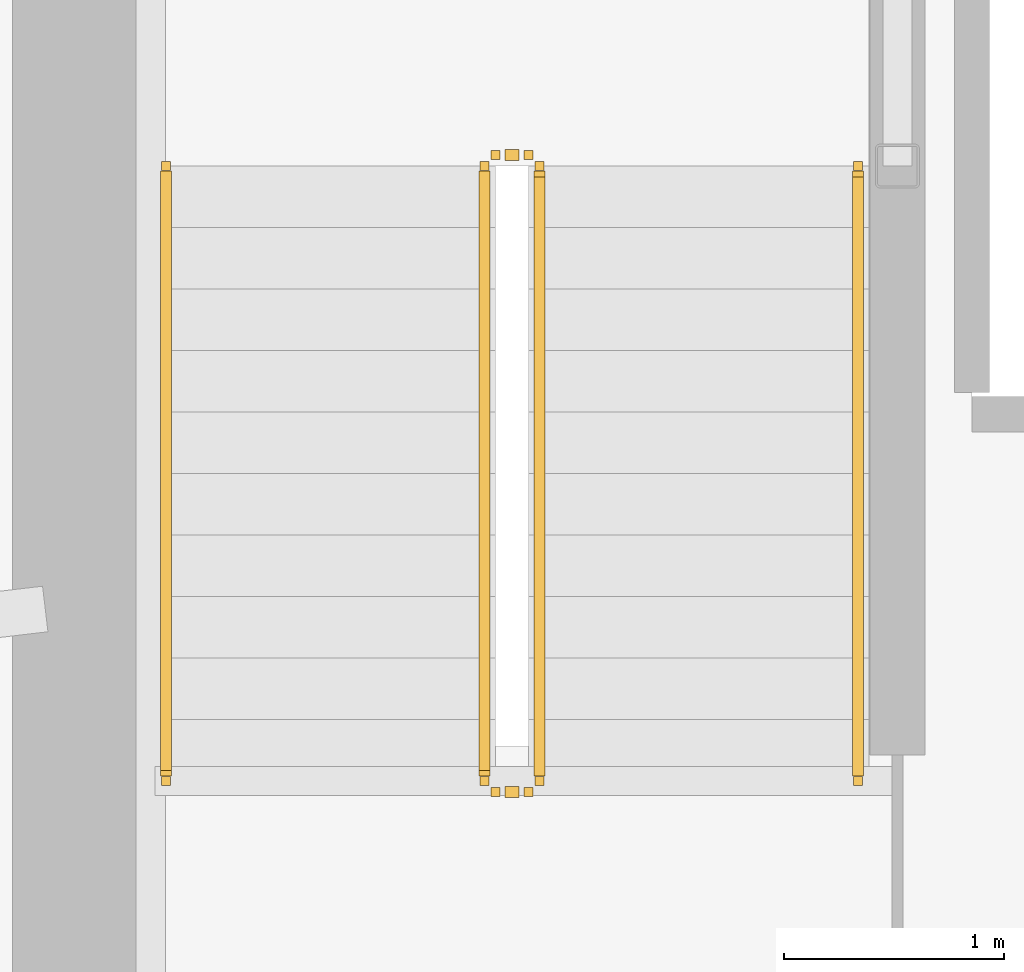
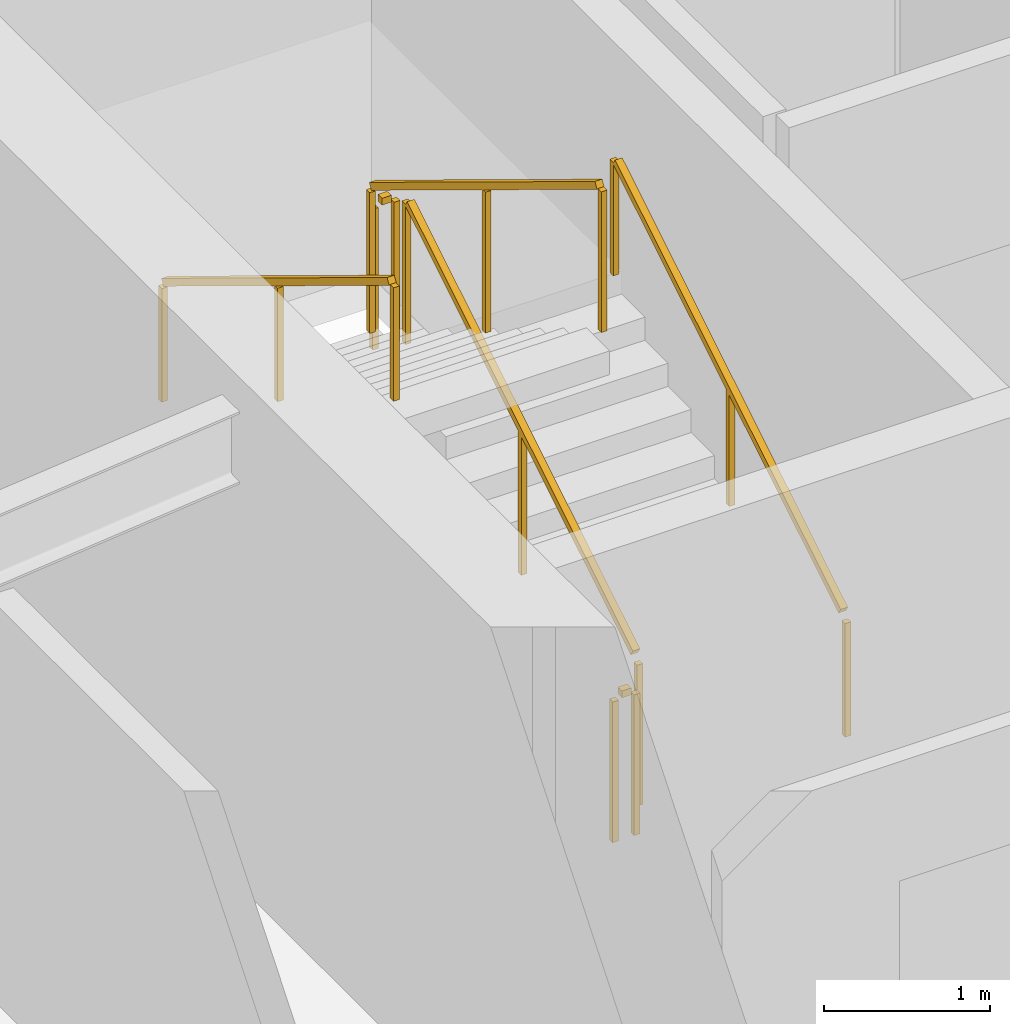
# One storey, part 18 of 21: 6 railings.
"""IFC4 building model written with IfcOpenShell, lengths in metres."""

from ifc_helpers import new_model, si_unit, direction, frame, origin, origin_2d, place, context, subcontext, project, spatial, rectangle, extrude, material, type_object, element, save


model = new_model("IFC4")

# Units and contexts
model_context = context("Model", 3, precision=1e-05, world=origin(), true_north=direction((0.0, 1.0)))
body_context = subcontext(model_context, "Body", "Model", "MODEL_VIEW")
ifc_project = project(units=[si_unit("LENGTHUNIT", "METRE"), si_unit("AREAUNIT", "SQUARE_METRE"), si_unit("VOLUMEUNIT", "CUBIC_METRE"), si_unit("PLANEANGLEUNIT", "RADIAN"), si_unit("MASSUNIT", "GRAM", prefix="KILO")], contexts=[model_context])

# Site, building, storey
site_placement = place(None, origin())
site = spatial("IfcSite", under=ifc_project, at=site_placement, CompositionType="ELEMENT")
building_placement = place(site_placement, origin())
building = spatial("IfcBuilding", under=site, at=building_placement, Name="Kazma Halo Residences", CompositionType="ELEMENT")
storey_placement = place(building_placement, frame((0.0, 0.0, 187.800048828125)))
storey = spatial("IfcBuildingStorey", under=building, at=storey_placement, Name="L47", CompositionType="ELEMENT", Elevation=187.800048828125)

# Railings
ifc_material_1 = material(Name="Painted Steel S355", Category="steel")
railing_type_1 = type_object("IfcRailingType", Name="RLG-STAIR-GRD-1100", PredefinedType="GUARDRAIL", material=ifc_material_1)
railing_1_placement = place(storey_placement, frame((39.550048828125, 39.949951171875, 0.17041015625)))
element("IfcRailing", 1, at=railing_1_placement, inside=storey, type_object=railing_type_1, Name="L47 ST-01 stair guard 1", PredefinedType="GUARDRAIL", context=body_context, shape_type="SweptSolid", body=[
    extrude(rectangle(XDim=0.050048828125, YDim=0.050048828125, at=origin_2d()), frame((0.0, 0.036376953125, 1.09716796875), z_axis=(0.0, 0.854169791009, 0.51999420009), x_axis=(-1.0, 0.0, 0.0)), (0.0, 0.0, 1.0), 3.193115234375),
    extrude(rectangle(XDim=0.0400390625, YDim=0.0400390625, at=origin_2d()), origin(), (0.0, 0.0, 1.0), 1.0380859375),
    extrude(rectangle(XDim=0.0400390625, YDim=0.0400390625, at=origin_2d()), frame((0.0, 1.39990234375, 0.852294921875)), (0.0, 0.0, 1.0), 1.0380859375),
    extrude(rectangle(XDim=0.0400390625, YDim=0.0400390625, at=origin_2d()), frame((0.0, 2.800048828125, 1.70458984375)), (0.0, 0.0, 1.0), 1.0380859375),
])
railing_2_placement = place(storey_placement, frame((39.5, 42.800048828125, 1.875)))
element("IfcRailing", 2, at=railing_2_placement, inside=storey, type_object=railing_type_1, Name="L47 ST-01 stair guard 2", PredefinedType="GUARDRAIL", context=body_context, shape_type="SweptSolid", body=[
    extrude(rectangle(XDim=0.050048828125, YDim=0.050048828125, at=origin_2d()), frame((-0.04248046875, 0.0, 1.0751953125), z_axis=(-1.0, 0.0, 0.0), x_axis=(0.0, -1.0, 0.0)), (0.0, 0.0, 1.0), 0.06494140625),
    extrude(rectangle(XDim=0.0400390625, YDim=0.0400390625, at=origin_2d()), origin(), (0.0, 0.0, 1.0), 1.0380859375),
    extrude(rectangle(XDim=0.0400390625, YDim=0.0400390625, at=origin_2d()), frame((-0.14990234375, 0.0, 0.0)), (0.0, 0.0, 1.0), 1.0380859375),
])
railing_3_placement = place(storey_placement, frame((39.300048828125, 42.75, 2.04541015625)))
element("IfcRailing", 3, at=railing_3_placement, inside=storey, type_object=railing_type_1, Name="L47 ST-01 stair guard 3", PredefinedType="GUARDRAIL", context=body_context, shape_type="SweptSolid", body=[
    extrude(rectangle(XDim=0.050048828125, YDim=0.050048828125, at=origin_2d()), frame((0.0, -0.036376953125, 1.09716796875), z_axis=(0.0, -0.854169791009, 0.51999420009), x_axis=(1.0, 0.0, 0.0)), (0.0, 0.0, 1.0), 3.193115234375),
    extrude(rectangle(XDim=0.0400390625, YDim=0.0400390625, at=origin_2d()), origin(), (0.0, 0.0, 1.0), 1.0380859375),
    extrude(rectangle(XDim=0.0400390625, YDim=0.0400390625, at=origin_2d()), frame((0.0, -1.39990234375, 0.852294921875)), (0.0, 0.0, 1.0), 1.0380859375),
    extrude(rectangle(XDim=0.0400390625, YDim=0.0400390625, at=origin_2d()), frame((0.0, -2.800048828125, 1.70458984375)), (0.0, 0.0, 1.0), 1.0380859375),
])
railing_4_placement = place(storey_placement, frame((39.5, 39.89990234375, 0.0)))
element("IfcRailing", 4, at=railing_4_placement, inside=storey, type_object=railing_type_1, Name="L47 ST-01 stair guard 4", PredefinedType="GUARDRAIL", context=body_context, shape_type="SweptSolid", body=[
    extrude(rectangle(XDim=0.050048828125, YDim=0.050048828125, at=origin_2d()), frame((-0.04248046875, 0.0, 1.0751953125), z_axis=(-1.0, 0.0, 0.0), x_axis=(0.0, -1.0, 0.0)), (0.0, 0.0, 1.0), 0.06494140625),
    extrude(rectangle(XDim=0.0400390625, YDim=0.0400390625, at=origin_2d()), origin(), (0.0, 0.0, 1.0), 1.0380859375),
    extrude(rectangle(XDim=0.0400390625, YDim=0.0400390625, at=origin_2d()), frame((-0.14990234375, 0.0, 0.0)), (0.0, 0.0, 1.0), 1.0380859375),
])
ifc_material_2 = material(Name="Brushed Stainless Steel", Category="steel")
railing_type_2 = type_object("IfcRailingType", Name="RLG-STAIR-HND-900", PredefinedType="HANDRAIL", material=ifc_material_2)
railing_5_placement = place(storey_placement, frame((41.0, 39.949951171875, 0.17041015625)))
element("IfcRailing", 5, at=railing_5_placement, inside=storey, type_object=railing_type_2, Name="L47 ST-01 stair handrail 1", PredefinedType="HANDRAIL", context=body_context, shape_type="SweptSolid", body=[
    extrude(rectangle(XDim=0.050048828125, YDim=0.050048828125, at=origin_2d()), frame((0.0, 0.036376953125, 0.89697265625), z_axis=(0.0, 0.854169791009, 0.51999420009), x_axis=(-1.0, 0.0, 0.0)), (0.0, 0.0, 1.0), 3.193115234375),
    extrude(rectangle(XDim=0.0400390625, YDim=0.0400390625, at=origin_2d()), origin(), (0.0, 0.0, 1.0), 0.837890625),
    extrude(rectangle(XDim=0.0400390625, YDim=0.0400390625, at=origin_2d()), frame((0.0, 1.39990234375, 0.852294921875)), (0.0, 0.0, 1.0), 0.837890625),
    extrude(rectangle(XDim=0.0400390625, YDim=0.0400390625, at=origin_2d()), frame((0.0, 2.800048828125, 1.70458984375)), (0.0, 0.0, 1.0), 0.837890625),
])
railing_6_placement = place(storey_placement, frame((37.85009765625, 42.75, 2.04541015625)))
element("IfcRailing", 6, at=railing_6_placement, inside=storey, type_object=railing_type_2, Name="L47 ST-01 stair handrail 2", PredefinedType="HANDRAIL", context=body_context, shape_type="SweptSolid", body=[
    extrude(rectangle(XDim=0.050048828125, YDim=0.050048828125, at=origin_2d()), frame((0.0, -0.036376953125, 0.89697265625), z_axis=(0.0, -0.854169791009, 0.51999420009), x_axis=(1.0, 0.0, 0.0)), (0.0, 0.0, 1.0), 3.193115234375),
    extrude(rectangle(XDim=0.0400390625, YDim=0.0400390625, at=origin_2d()), origin(), (0.0, 0.0, 1.0), 0.837890625),
    extrude(rectangle(XDim=0.0400390625, YDim=0.0400390625, at=origin_2d()), frame((0.0, -1.39990234375, 0.852294921875)), (0.0, 0.0, 1.0), 0.837890625),
    extrude(rectangle(XDim=0.0400390625, YDim=0.0400390625, at=origin_2d()), frame((0.0, -2.800048828125, 1.70458984375)), (0.0, 0.0, 1.0), 0.837890625),
])

save(model, "model.ifc")
